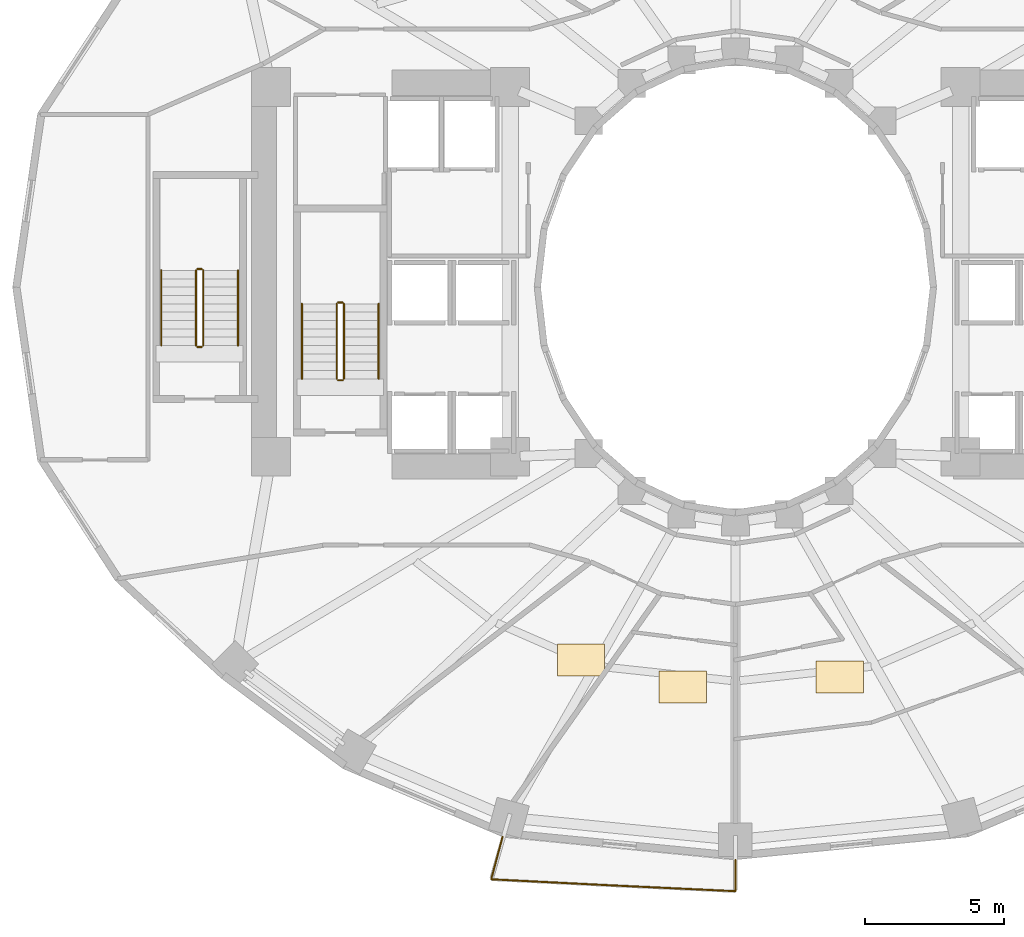
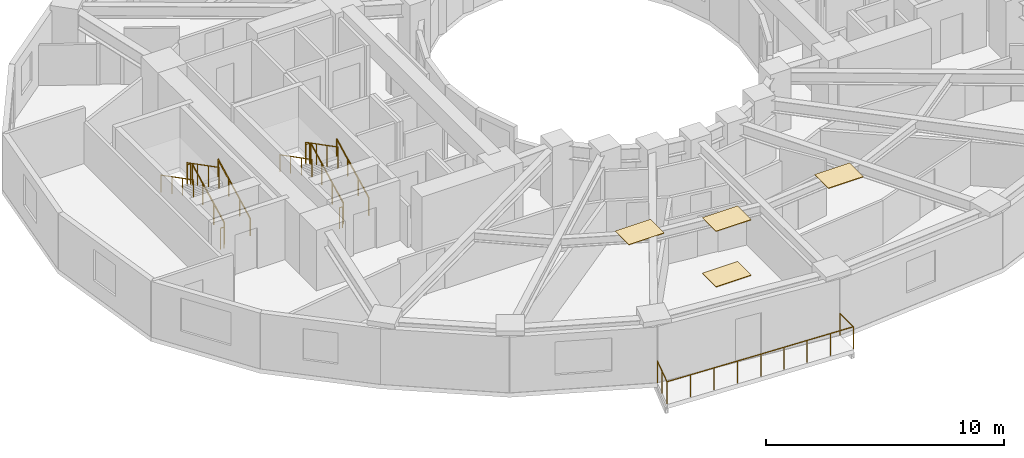
# One storey, part 9 of 10: 13 railings, 4 coverings.
"""IFC4 building model written with IfcOpenShell, lengths in metres."""

import ifcopenshell
import ifcopenshell.guid

model = None  # the IFC model being written
_history = None  # IfcOwnerHistory: only IFC2X3 demands one
_inside = {}  # id of a spatial element -> (the spatial element, [elements in it])
_under = {}  # id of a project, library or spatial element -> (it, [spatial elements below it])
_declared = {}  # id of a project -> (the project, [libraries it declares])
_typed = {}  # id of a type object -> (the type object, [elements of that type])
_made_of = {}  # id of a material, layer set ... -> (it, [elements and type objects made of it])


def new_model(schema):
    """Start an empty IFC model of exactly this schema.

    Asked for "IFC4X3", IfcOpenShell would pick the latest addendum, in which some entities
    have other attributes; the version numbers below select the first issue.
    IFC2X3 requires an IfcOwnerHistory on every rooted entity: one is made here for all.
    """
    global model, _history
    if schema == "IFC4X3":
        model = ifcopenshell.file(schema_version=(4, 3, 0, 0))
    else:
        model = ifcopenshell.file(schema=schema)
    _inside.clear()
    _under.clear()
    _declared.clear()
    _typed.clear()
    _made_of.clear()
    _history = None
    if model.schema == "IFC2X3":
        org = make("IfcOrganization", Name="unknown")
        user = make(
            "IfcPersonAndOrganization",
            ThePerson=make("IfcPerson", FamilyName="unknown"),
            TheOrganization=org,
        )
        app = make(
            "IfcApplication",
            ApplicationDeveloper=org,
            Version="unknown",
            ApplicationFullName="unknown",
            ApplicationIdentifier="unknown",
        )
        _history = make(
            "IfcOwnerHistory",
            OwningUser=user,
            OwningApplication=app,
            ChangeAction="ADDED",
            CreationDate=0,
        )
    return model


def make(cls, **values):
    """One entity of the class cls with the attributes given. An attribute that is None is left unset."""
    return model.create_entity(
        cls, **{name: value for name, value in values.items() if value is not None}
    )


def rooted(cls, **values):
    """An entity with a GlobalId (a new one), such as an element, a storey or a relation."""
    return make(cls, GlobalId=ifcopenshell.guid.new(), OwnerHistory=_history, **values)


def si_unit(unit_type, name, prefix=None):
    """IfcSIUnit, for example si_unit("LENGTHUNIT", "METRE", prefix="MILLI")."""
    return make("IfcSIUnit", UnitType=unit_type, Prefix=prefix, Name=name)


def assignment(units):
    """IfcUnitAssignment: the units of a project."""
    return None if units is None else make("IfcUnitAssignment", Units=units)


def point(xyz):
    """IfcCartesianPoint."""
    return None if xyz is None else make("IfcCartesianPoint", Coordinates=xyz)


def direction(xyz):
    """IfcDirection."""
    return None if xyz is None else make("IfcDirection", DirectionRatios=xyz)


def frame(location, z_axis=None, x_axis=None):
    """IfcAxis2Placement3D, a coordinate frame: its origin and axes. An axis left out is left unset."""
    return make(
        "IfcAxis2Placement3D",
        Location=point(location),
        Axis=direction(z_axis),
        RefDirection=direction(x_axis),
    )


def frame_2d(location, x_axis=None):
    """IfcAxis2Placement2D, a coordinate frame in the plane: its origin and x axis."""
    return make(
        "IfcAxis2Placement2D", Location=point(location), RefDirection=direction(x_axis)
    )


def origin():
    """The frame at (0, 0, 0) with its axes left unset."""
    return frame((0.0, 0.0, 0.0))


def origin_2d():
    """The frame at (0, 0) in the plane with its x axis left unset."""
    return frame_2d((0.0, 0.0))


def place(relative_to, where):
    """IfcLocalPlacement: puts the frame where relative to a parent placement (None: the world)."""
    return make(
        "IfcLocalPlacement", PlacementRelTo=relative_to, RelativePlacement=where
    )


def context(
    kind, dimensions, precision=None, world=None, true_north=None, identifier=None
):
    """IfcGeometricRepresentationContext, for example the 3D "Model" context."""
    return make(
        "IfcGeometricRepresentationContext",
        ContextIdentifier=identifier,
        ContextType=kind,
        CoordinateSpaceDimension=dimensions,
        Precision=precision,
        WorldCoordinateSystem=world,
        TrueNorth=true_north,
    )


def subcontext(parent, identifier, kind, view, scale=None):
    """IfcGeometricRepresentationSubContext, for example "Body" below "Model"."""
    return make(
        "IfcGeometricRepresentationSubContext",
        ContextIdentifier=identifier,
        ContextType=kind,
        ParentContext=parent,
        TargetScale=scale,
        TargetView=view,
    )


def project(units=None, contexts=None):
    """IfcProject with its units and contexts."""
    return rooted(
        "IfcProject",
        Name="project",
        RepresentationContexts=contexts,
        UnitsInContext=assignment(units),
    )


def spatial(cls, under=None, at=None, **own):
    """A site, building, storey or space (cls), placed at a placement, below another one or the project."""
    s = rooted(cls, ObjectPlacement=at, **own)
    if under is not None:
        _under.setdefault(under.id(), (under, []))[1].append(s)
    return s


def polyline(points):
    """IfcPolyline through the points."""
    return make("IfcPolyline", Points=[point(p) for p in points])


def profile(cls, at=None, kind="AREA", **sizes):
    """A parametric profile (cls). Its sizes go by their IFC names, for example OverallWidth=200.0."""
    return make(cls, ProfileType=kind, Position=at, **sizes)


def circle(**sizes):
    """IfcCircleProfileDef."""
    return profile("IfcCircleProfileDef", **sizes)


def outline(outer, holes=None, kind="AREA"):
    """IfcArbitraryClosedProfileDef: a profile drawn as a closed curve; with holes, ...WithVoids."""
    if holes is None:
        return make("IfcArbitraryClosedProfileDef", ProfileType=kind, OuterCurve=outer)
    return make(
        "IfcArbitraryProfileDefWithVoids",
        ProfileType=kind,
        OuterCurve=outer,
        InnerCurves=holes,
    )


def extrude(swept, where, along, depth):
    """IfcExtrudedAreaSolid: the profile swept, set in the frame where, extruded along a direction by depth."""
    return make(
        "IfcExtrudedAreaSolid",
        SweptArea=swept,
        Position=where,
        ExtrudedDirection=direction(along),
        Depth=depth,
    )


def shape(context_of_items, identifier, shape_type, items):
    """IfcShapeRepresentation: the items that make up one representation, for example the "Body"."""
    return make(
        "IfcShapeRepresentation",
        ContextOfItems=context_of_items,
        RepresentationIdentifier=identifier,
        RepresentationType=shape_type,
        Items=items,
    )


def material(Name=None, Category=None):
    """IfcMaterial."""
    return make("IfcMaterial", Name=Name, Category=Category)


def layer(
    of_material, thickness, ventilated=None, Name=None, Category=None, Priority=None
):
    """IfcMaterialLayer: one layer of a wall or slab, of a material (None: an air gap)."""
    return make(
        "IfcMaterialLayer",
        Material=of_material,
        LayerThickness=thickness,
        IsVentilated=ventilated,
        Name=Name,
        Category=Category,
        Priority=Priority,
    )


def layer_set(layers, Name=None):
    """IfcMaterialLayerSet."""
    return make("IfcMaterialLayerSet", MaterialLayers=layers, LayerSetName=Name)


def made_of(thing, what):
    """Note that an element or type object is made of a material, layer set ...; save() writes the relation."""
    if what is not None:
        _made_of.setdefault(what.id(), (what, []))[1].append(thing)
    return thing


def type_object(cls, material=None, **own):
    """A type object (cls), such as IfcWallType, which elements share."""
    return made_of(rooted(cls, **own), material)


def element(
    cls,
    number,
    at=None,
    inside=None,
    cuts=None,
    type_object=None,
    material=None,
    context=None,
    identifier="Body",
    shape_type=None,
    held_by="IfcProductDefinitionShape",
    body=None,
    shapes=None,
    **own,
):
    """One element of the class cls, such as IfcWall. Its Tag is "e" and its number.

    at: its placement. inside: the storey or other place that contains it. cuts: it is an
    opening in that element (IfcRelVoidsElement). A single representation is given by context,
    identifier, shape_type and body (its items); several are given by shapes. held_by: the class
    of the entity that holds the representations. save() writes the other relations.
    """
    e = rooted(cls, Tag="e%d" % number, ObjectPlacement=at, **own)
    if body is not None:
        shapes = [shape(context, identifier, shape_type, body)]
    if shapes is not None:
        e.Representation = make(held_by, Representations=shapes)
    if inside is not None:
        _inside.setdefault(inside.id(), (inside, []))[1].append(e)
    if cuts is not None:
        rooted(
            "IfcRelVoidsElement", RelatingBuildingElement=cuts, RelatedOpeningElement=e
        )
    if type_object is not None:
        _typed.setdefault(type_object.id(), (type_object, []))[1].append(e)
    return made_of(e, material)


def aggregate(whole, parts):
    """IfcRelAggregates: a whole, such as a stair, and the parts it consists of."""
    return rooted("IfcRelAggregates", RelatingObject=whole, RelatedObjects=parts)


def save(model, path):
    """Write the relations noted so far, then the file.

    IfcRelAggregates (storeys below a building ...), IfcRelContainedInSpatialStructure (elements
    in a storey), IfcRelDefinesByType, IfcRelAssociatesMaterial and IfcRelDeclares: one each for
    every whole, place, type object, material and project.
    """
    for whole, parts in _under.values():
        aggregate(whole, parts)
    for where, things in _inside.values():
        rooted(
            "IfcRelContainedInSpatialStructure",
            RelatedElements=things,
            RelatingStructure=where,
        )
    for kind, things in _typed.values():
        rooted("IfcRelDefinesByType", RelatedObjects=things, RelatingType=kind)
    for what, things in _made_of.values():
        rooted("IfcRelAssociatesMaterial", RelatedObjects=things, RelatingMaterial=what)
    for by, libraries in _declared.values():
        rooted("IfcRelDeclares", RelatingContext=by, RelatedDefinitions=libraries)
    model.write(path)


model = new_model("IFC4")

# Units and contexts
model_context = context("Model", 3, precision=1e-05, world=origin(), true_north=direction((0.0, 1.0)))
body_context = subcontext(model_context, "Body", "Model", "MODEL_VIEW")
ifc_project = project(units=[si_unit("LENGTHUNIT", "METRE"), si_unit("AREAUNIT", "SQUARE_METRE"), si_unit("VOLUMEUNIT", "CUBIC_METRE"), si_unit("PLANEANGLEUNIT", "RADIAN"), si_unit("MASSUNIT", "GRAM", prefix="KILO")], contexts=[model_context])

# Site, building, storey
site_placement = place(None, origin())
site = spatial("IfcSite", under=ifc_project, at=site_placement, CompositionType="ELEMENT")
building_placement = place(site_placement, origin())
building = spatial("IfcBuilding", under=site, at=building_placement, Name="Solvane Sanctuary Tower", CompositionType="ELEMENT")
storey_placement = place(building_placement, frame((0.0, 0.0, 58.60009765625)))
storey = spatial("IfcBuildingStorey", under=building, at=storey_placement, Name="L17", CompositionType="ELEMENT", Elevation=58.60009765625)

# Coverings
ifc_material_1 = material(Name="Acoustic Gypsum Partition Board")
ifc_layer_1 = layer(ifc_material_1, 0.02490234375, Name="Acoustic Gypsum Partition Board")
ifc_layer_set_1 = layer_set([ifc_layer_1], Name="Acoustic Gypsum Partition Board")
covering_type_1 = type_object("IfcCoveringType", Name="Covering CLG-ACOUST", PredefinedType="CEILING", material=ifc_layer_set_1)
covering_1_placement = place(storey_placement, frame((0.0, 0.0, 2.849853515625)))
element("IfcCovering", 1, at=covering_1_placement, inside=storey, type_object=covering_type_1, Name="L17 Unit Acoustic Ceiling Panel 4", PredefinedType="CEILING", context=body_context, shape_type="SweptSolid", body=[
    extrude(outline(polyline([(25.596923828125, 9.02001953125), (27.297119140625, 9.02001953125), (27.297119140625, 10.169921875), (25.596923828125, 10.169921875), (25.596923828125, 9.02001953125)])), origin(), (0.0, 0.0, 1.0), 0.030029296875),
])
covering_2_placement = place(storey_placement, frame((0.0, 0.0, 2.849853515625)))
element("IfcCovering", 2, at=covering_2_placement, inside=storey, type_object=covering_type_1, Name="L17 Unit Acoustic Ceiling Panel 5", PredefinedType="CEILING", context=body_context, shape_type="SweptSolid", body=[
    extrude(outline(polyline([(29.256103515625, 8.0390625), (30.9560546875, 8.0390625), (30.9560546875, 9.18896484375), (29.256103515625, 9.18896484375), (29.256103515625, 8.0390625)])), origin(), (0.0, 0.0, 1.0), 0.030029296875),
])
covering_3_placement = place(storey_placement, frame((0.0, 0.0, 2.849853515625)))
element("IfcCovering", 3, at=covering_3_placement, inside=storey, type_object=covering_type_1, Name="L17 Unit Acoustic Ceiling Panel 6", PredefinedType="CEILING", context=body_context, shape_type="SweptSolid", body=[
    extrude(outline(polyline([(34.905029296875, 8.408935546875), (36.60498046875, 8.408935546875), (36.60498046875, 9.55908203125), (34.905029296875, 9.55908203125), (34.905029296875, 8.408935546875)])), origin(), (0.0, 0.0, 1.0), 0.030029296875),
])
ifc_material_2 = material(Name="Ceramic Tile Finish")
ifc_layer_2 = layer(ifc_material_2, 0.030029296875, Name="Ceramic Tile Finish")
ifc_layer_set_2 = layer_set([ifc_layer_2], Name="Ceramic Tile Finish")
covering_type_2 = type_object("IfcCoveringType", Name="Covering FLR-TERRAZZO", PredefinedType="FLOORING", material=ifc_layer_set_2)
covering_4_placement = place(storey_placement, origin())
element("IfcCovering", 4, at=covering_4_placement, inside=storey, type_object=covering_type_2, Name="L17 Unit Terrazzo Inlay 5", PredefinedType="FLOORING", context=body_context, shape_type="SweptSolid", body=[
    extrude(outline(polyline([(29.256103515625, 8.0390625), (30.9560546875, 8.0390625), (30.9560546875, 9.18896484375), (29.256103515625, 9.18896484375), (29.256103515625, 8.0390625)])), origin(), (0.0, 0.0, 1.0), 0.034912109375),
])

# Railings
ifc_material_3 = material(Name="Architectural Stainless Steel 316", Category="steel")
railing_type_1 = type_object("IfcRailingType", Name="Railing GR-BALC-1150", PredefinedType="BALUSTRADE", material=ifc_material_3)
railing_1_placement = place(storey_placement, frame((23.623291015625, 3.22119140625, 0.0)))
element("IfcRailing", 5, at=railing_1_placement, inside=storey, type_object=railing_type_1, Name="L17 Wave Balcony Balustrade SC", PredefinedType="BALUSTRADE", context=body_context, shape_type="SweptSolid", body=[
    extrude(circle(Radius=0.02392578125, at=origin_2d()), frame((0.0, 0.0, 1.1259765625), z_axis=(-0.258860199722, -0.965914798002, 0.0), x_axis=(0.965914798002, -0.258860199722, 0.0)), (0.0, 0.0, 1.0), 1.5732421875),
    extrude(circle(Radius=0.02392578125, at=origin_2d()), frame((-0.4072265625, -1.51953125, 1.1259765625), z_axis=(0.998733698588, -0.050309038007, 0.0), x_axis=(0.050309038007, 0.998733698588, 0.0)), (0.0, 0.0, 1.0), 4.42578125),
    extrude(circle(Radius=0.02392578125, at=origin_2d()), frame((4.012939453125, -1.7421875, 1.1259765625), z_axis=(0.998902765909, -0.046832299308, 0.0), x_axis=(0.046832299308, 0.998902765909, 0.0)), (0.0, 0.0, 1.0), 4.36865234375),
    extrude(circle(Radius=0.02392578125, at=origin_2d()), frame((8.376708984375, -1.94677734375, 1.1259765625), z_axis=(0.0, 1.0, 0.0), x_axis=(-1.0, 0.0, 0.0)), (0.0, 0.0, 1.0), 1.12548828125),
    extrude(circle(Radius=0.02099609375, at=origin_2d()), origin(), (0.0, 0.0, 1.0), 1.101806640625),
    extrude(circle(Radius=0.02099609375, at=origin_2d()), frame((-0.20361328125, -0.759765625, 0.0)), (0.0, 0.0, 1.0), 1.101806640625),
    extrude(circle(Radius=0.02099609375, at=origin_2d()), frame((-0.4072265625, -1.51953125, 0.0)), (0.0, 0.0, 1.0), 1.101806640625),
    extrude(circle(Radius=0.02099609375, at=origin_2d()), frame((0.69775390625, -1.5751953125, 0.0)), (0.0, 0.0, 1.0), 1.101806640625),
    extrude(circle(Radius=0.02099609375, at=origin_2d()), frame((1.802734375, -1.630859375, 0.0)), (0.0, 0.0, 1.0), 1.101806640625),
    extrude(circle(Radius=0.02099609375, at=origin_2d()), frame((2.907958984375, -1.6865234375, 0.0)), (0.0, 0.0, 1.0), 1.101806640625),
    extrude(circle(Radius=0.02099609375, at=origin_2d()), frame((4.012939453125, -1.7421875, 0.0)), (0.0, 0.0, 1.0), 1.101806640625),
    extrude(circle(Radius=0.02099609375, at=origin_2d()), frame((5.10400390625, -1.79345703125, 0.0)), (0.0, 0.0, 1.0), 1.101806640625),
    extrude(circle(Radius=0.02099609375, at=origin_2d()), frame((6.19482421875, -1.844482421875, 0.0)), (0.0, 0.0, 1.0), 1.101806640625),
    extrude(circle(Radius=0.02099609375, at=origin_2d()), frame((7.28564453125, -1.8955078125, 0.0)), (0.0, 0.0, 1.0), 1.101806640625),
    extrude(circle(Radius=0.02099609375, at=origin_2d()), frame((8.376708984375, -1.94677734375, 0.0)), (0.0, 0.0, 1.0), 1.101806640625),
    extrude(circle(Radius=0.02099609375, at=origin_2d()), frame((8.376708984375, -0.8212890625, 0.0)), (0.0, 0.0, 1.0), 1.101806640625),
])
railing_2_placement = place(storey_placement, frame((17.919921875, 19.699951171875, 0.15478515625)))
element("IfcRailing", 6, at=railing_2_placement, inside=storey, type_object=railing_type_1, Name="L17 ST-1 stair guard 1", PredefinedType="BALUSTRADE", context=body_context, shape_type="SweptSolid", body=[
    extrude(circle(Radius=0.02392578125, at=origin_2d()), frame((0.0, 0.0, 1.076171875), z_axis=(0.0, 0.888419900624, 0.459031676658), x_axis=(-1.0, 0.0, 0.0)), (0.0, 0.0, 1.0), 3.0390625),
    extrude(circle(Radius=0.02099609375, at=origin_2d()), origin(), (0.0, 0.0, 1.0), 1.052001953125),
    extrude(circle(Radius=0.02099609375, at=origin_2d()), frame((0.0, 0.89990234375, 0.465087890625)), (0.0, 0.0, 1.0), 1.052001953125),
    extrude(circle(Radius=0.02099609375, at=origin_2d()), frame((0.0, 1.800048828125, 0.929931640625)), (0.0, 0.0, 1.0), 1.052001953125),
    extrude(circle(Radius=0.02099609375, at=origin_2d()), frame((0.0, 2.699951171875, 1.39501953125)), (0.0, 0.0, 1.0), 1.052001953125),
])
railing_3_placement = place(storey_placement, frame((17.8701171875, 22.449951171875, 1.5498046875)))
element("IfcRailing", 7, at=railing_3_placement, inside=storey, type_object=railing_type_1, Name="L17 ST-1 stair guard 2", PredefinedType="BALUSTRADE", context=body_context, shape_type="SweptSolid", body=[
    extrude(circle(Radius=0.02392578125, at=origin_2d()), frame((0.0, 0.0, 1.076171875), z_axis=(-1.0, 0.0, 0.0), x_axis=(0.0, -1.0, 0.0)), (0.0, 0.0, 1.0), 0.16015625),
    extrude(circle(Radius=0.02099609375, at=origin_2d()), origin(), (0.0, 0.0, 1.0), 1.052001953125),
    extrude(circle(Radius=0.02099609375, at=origin_2d()), frame((-0.16015625, 0.0, 0.0)), (0.0, 0.0, 1.0), 1.052001953125),
])
railing_4_placement = place(storey_placement, frame((17.659912109375, 22.39990234375, 1.704833984375)))
element("IfcRailing", 8, at=railing_4_placement, inside=storey, type_object=railing_type_1, Name="L17 ST-1 stair guard 3", PredefinedType="BALUSTRADE", context=body_context, shape_type="SweptSolid", body=[
    extrude(circle(Radius=0.02392578125, at=origin_2d()), frame((0.0, 0.0, 1.076171875), z_axis=(0.0, -0.888419900624, 0.459031676658), x_axis=(1.0, 0.0, 0.0)), (0.0, 0.0, 1.0), 3.0390625),
    extrude(circle(Radius=0.02099609375, at=origin_2d()), origin(), (0.0, 0.0, 1.0), 1.052001953125),
    extrude(circle(Radius=0.02099609375, at=origin_2d()), frame((0.0, -0.89990234375, 0.465087890625)), (0.0, 0.0, 1.0), 1.052001953125),
    extrude(circle(Radius=0.02099609375, at=origin_2d()), frame((0.0, -1.800048828125, 0.929931640625)), (0.0, 0.0, 1.0), 1.052001953125),
    extrude(circle(Radius=0.02099609375, at=origin_2d()), frame((0.0, -2.699951171875, 1.39501953125)), (0.0, 0.0, 1.0), 1.052001953125),
])
railing_5_placement = place(storey_placement, frame((17.8701171875, 19.64990234375, 0.0)))
element("IfcRailing", 9, at=railing_5_placement, inside=storey, type_object=railing_type_1, Name="L17 ST-1 stair guard 4", PredefinedType="BALUSTRADE", context=body_context, shape_type="SweptSolid", body=[
    extrude(circle(Radius=0.02392578125, at=origin_2d()), frame((0.0, 0.0, 1.076171875), z_axis=(-1.0, 0.0, 0.0), x_axis=(0.0, -1.0, 0.0)), (0.0, 0.0, 1.0), 0.16015625),
    extrude(circle(Radius=0.02099609375, at=origin_2d()), origin(), (0.0, 0.0, 1.0), 1.052001953125),
    extrude(circle(Radius=0.02099609375, at=origin_2d()), frame((-0.16015625, 0.0, 0.0)), (0.0, 0.0, 1.0), 1.052001953125),
])
railing_6_placement = place(storey_placement, frame((12.860107421875, 20.89990234375, 0.15478515625)))
element("IfcRailing", 10, at=railing_6_placement, inside=storey, type_object=railing_type_1, Name="L17 ST-3 stair guard 1", PredefinedType="BALUSTRADE", context=body_context, shape_type="SweptSolid", body=[
    extrude(circle(Radius=0.02392578125, at=origin_2d()), frame((0.0, 0.0, 1.076171875), z_axis=(0.0, 0.888436826113, 0.458998917216), x_axis=(-1.0, 0.0, 0.0)), (0.0, 0.0, 1.0), 3.039306640625),
    extrude(circle(Radius=0.02099609375, at=origin_2d()), origin(), (0.0, 0.0, 1.0), 1.052001953125),
    extrude(circle(Radius=0.02099609375, at=origin_2d()), frame((0.0, 0.900146484375, 0.465087890625)), (0.0, 0.0, 1.0), 1.052001953125),
    extrude(circle(Radius=0.02099609375, at=origin_2d()), frame((0.0, 1.800048828125, 0.929931640625)), (0.0, 0.0, 1.0), 1.052001953125),
    extrude(circle(Radius=0.02099609375, at=origin_2d()), frame((0.0, 2.7001953125, 1.39501953125)), (0.0, 0.0, 1.0), 1.052001953125),
])
railing_7_placement = place(storey_placement, frame((12.81005859375, 23.64990234375, 1.5498046875)))
element("IfcRailing", 11, at=railing_7_placement, inside=storey, type_object=railing_type_1, Name="L17 ST-3 stair guard 2", PredefinedType="BALUSTRADE", context=body_context, shape_type="SweptSolid", body=[
    extrude(circle(Radius=0.02392578125, at=origin_2d()), frame((0.0, 0.0, 1.076171875), z_axis=(-1.0, 0.0, 0.0), x_axis=(0.0, -1.0, 0.0)), (0.0, 0.0, 1.0), 0.16015625),
    extrude(circle(Radius=0.02099609375, at=origin_2d()), origin(), (0.0, 0.0, 1.0), 1.052001953125),
    extrude(circle(Radius=0.02099609375, at=origin_2d()), frame((-0.16015625, 0.0, 0.0)), (0.0, 0.0, 1.0), 1.052001953125),
])
railing_8_placement = place(storey_placement, frame((12.60009765625, 23.60009765625, 1.704833984375)))
element("IfcRailing", 12, at=railing_8_placement, inside=storey, type_object=railing_type_1, Name="L17 ST-3 stair guard 3", PredefinedType="BALUSTRADE", context=body_context, shape_type="SweptSolid", body=[
    extrude(circle(Radius=0.02392578125, at=origin_2d()), frame((0.0, 0.0, 1.076171875), z_axis=(0.0, -0.888436826113, 0.458998917216), x_axis=(1.0, 0.0, 0.0)), (0.0, 0.0, 1.0), 3.039306640625),
    extrude(circle(Radius=0.02099609375, at=origin_2d()), origin(), (0.0, 0.0, 1.0), 1.052001953125),
    extrude(circle(Radius=0.02099609375, at=origin_2d()), frame((0.0, -0.900146484375, 0.465087890625)), (0.0, 0.0, 1.0), 1.052001953125),
    extrude(circle(Radius=0.02099609375, at=origin_2d()), frame((0.0, -1.800048828125, 0.929931640625)), (0.0, 0.0, 1.0), 1.052001953125),
    extrude(circle(Radius=0.02099609375, at=origin_2d()), frame((0.0, -2.7001953125, 1.39501953125)), (0.0, 0.0, 1.0), 1.052001953125),
])
railing_9_placement = place(storey_placement, frame((12.81005859375, 20.85009765625, 0.0)))
element("IfcRailing", 13, at=railing_9_placement, inside=storey, type_object=railing_type_1, Name="L17 ST-3 stair guard 4", PredefinedType="BALUSTRADE", context=body_context, shape_type="SweptSolid", body=[
    extrude(circle(Radius=0.02392578125, at=origin_2d()), frame((0.0, 0.0, 1.076171875), z_axis=(-1.0, 0.0, 0.0), x_axis=(0.0, -1.0, 0.0)), (0.0, 0.0, 1.0), 0.16015625),
    extrude(circle(Radius=0.02099609375, at=origin_2d()), origin(), (0.0, 0.0, 1.0), 1.052001953125),
    extrude(circle(Radius=0.02099609375, at=origin_2d()), frame((-0.16015625, 0.0, 0.0)), (0.0, 0.0, 1.0), 1.052001953125),
])
railing_type_2 = type_object("IfcRailingType", Name="Railing HR-STAIR-920", PredefinedType="HANDRAIL", material=ifc_material_3)
railing_10_placement = place(storey_placement, frame((19.169921875, 19.699951171875, 0.15478515625)))
element("IfcRailing", 14, at=railing_10_placement, inside=storey, type_object=railing_type_2, Name="L17 ST-1 stair handrail 1", PredefinedType="HANDRAIL", context=body_context, shape_type="SweptSolid", body=[
    extrude(circle(Radius=0.02392578125, at=origin_2d()), frame((0.0, 0.0, 0.8759765625), z_axis=(0.0, 0.888419900624, 0.459031676658), x_axis=(-1.0, 0.0, 0.0)), (0.0, 0.0, 1.0), 3.0390625),
    extrude(circle(Radius=0.02099609375, at=origin_2d()), origin(), (0.0, 0.0, 1.0), 0.851806640625),
    extrude(circle(Radius=0.02099609375, at=origin_2d()), frame((0.0, 0.89990234375, 0.465087890625)), (0.0, 0.0, 1.0), 0.851806640625),
    extrude(circle(Radius=0.02099609375, at=origin_2d()), frame((0.0, 1.800048828125, 0.929931640625)), (0.0, 0.0, 1.0), 0.851806640625),
    extrude(circle(Radius=0.02099609375, at=origin_2d()), frame((0.0, 2.699951171875, 1.39501953125)), (0.0, 0.0, 1.0), 0.851806640625),
])
railing_11_placement = place(storey_placement, frame((16.409912109375, 22.39990234375, 1.704833984375)))
element("IfcRailing", 15, at=railing_11_placement, inside=storey, type_object=railing_type_2, Name="L17 ST-1 stair handrail 2", PredefinedType="HANDRAIL", context=body_context, shape_type="SweptSolid", body=[
    extrude(circle(Radius=0.02392578125, at=origin_2d()), frame((0.0, 0.0, 0.8759765625), z_axis=(0.0, -0.888419900624, 0.459031676658), x_axis=(1.0, 0.0, 0.0)), (0.0, 0.0, 1.0), 3.0390625),
    extrude(circle(Radius=0.02099609375, at=origin_2d()), origin(), (0.0, 0.0, 1.0), 0.851806640625),
    extrude(circle(Radius=0.02099609375, at=origin_2d()), frame((0.0, -0.89990234375, 0.465087890625)), (0.0, 0.0, 1.0), 0.851806640625),
    extrude(circle(Radius=0.02099609375, at=origin_2d()), frame((0.0, -1.800048828125, 0.929931640625)), (0.0, 0.0, 1.0), 0.851806640625),
    extrude(circle(Radius=0.02099609375, at=origin_2d()), frame((0.0, -2.699951171875, 1.39501953125)), (0.0, 0.0, 1.0), 0.851806640625),
])
railing_12_placement = place(storey_placement, frame((14.110107421875, 20.89990234375, 0.15478515625)))
element("IfcRailing", 16, at=railing_12_placement, inside=storey, type_object=railing_type_2, Name="L17 ST-3 stair handrail 1", PredefinedType="HANDRAIL", context=body_context, shape_type="SweptSolid", body=[
    extrude(circle(Radius=0.02392578125, at=origin_2d()), frame((0.0, 0.0, 0.8759765625), z_axis=(0.0, 0.888436826113, 0.458998917216), x_axis=(-1.0, 0.0, 0.0)), (0.0, 0.0, 1.0), 3.039306640625),
    extrude(circle(Radius=0.02099609375, at=origin_2d()), origin(), (0.0, 0.0, 1.0), 0.851806640625),
    extrude(circle(Radius=0.02099609375, at=origin_2d()), frame((0.0, 0.900146484375, 0.465087890625)), (0.0, 0.0, 1.0), 0.851806640625),
    extrude(circle(Radius=0.02099609375, at=origin_2d()), frame((0.0, 1.800048828125, 0.929931640625)), (0.0, 0.0, 1.0), 0.851806640625),
    extrude(circle(Radius=0.02099609375, at=origin_2d()), frame((0.0, 2.7001953125, 1.39501953125)), (0.0, 0.0, 1.0), 0.851806640625),
])
railing_13_placement = place(storey_placement, frame((11.35009765625, 23.60009765625, 1.704833984375)))
element("IfcRailing", 17, at=railing_13_placement, inside=storey, type_object=railing_type_2, Name="L17 ST-3 stair handrail 2", PredefinedType="HANDRAIL", context=body_context, shape_type="SweptSolid", body=[
    extrude(circle(Radius=0.02392578125, at=origin_2d()), frame((0.0, 0.0, 0.8759765625), z_axis=(0.0, -0.888436826113, 0.458998917216), x_axis=(1.0, 0.0, 0.0)), (0.0, 0.0, 1.0), 3.039306640625),
    extrude(circle(Radius=0.02099609375, at=origin_2d()), origin(), (0.0, 0.0, 1.0), 0.851806640625),
    extrude(circle(Radius=0.02099609375, at=origin_2d()), frame((0.0, -0.900146484375, 0.465087890625)), (0.0, 0.0, 1.0), 0.851806640625),
    extrude(circle(Radius=0.02099609375, at=origin_2d()), frame((0.0, -1.800048828125, 0.929931640625)), (0.0, 0.0, 1.0), 0.851806640625),
    extrude(circle(Radius=0.02099609375, at=origin_2d()), frame((0.0, -2.7001953125, 1.39501953125)), (0.0, 0.0, 1.0), 0.851806640625),
])

save(model, "model.ifc")
